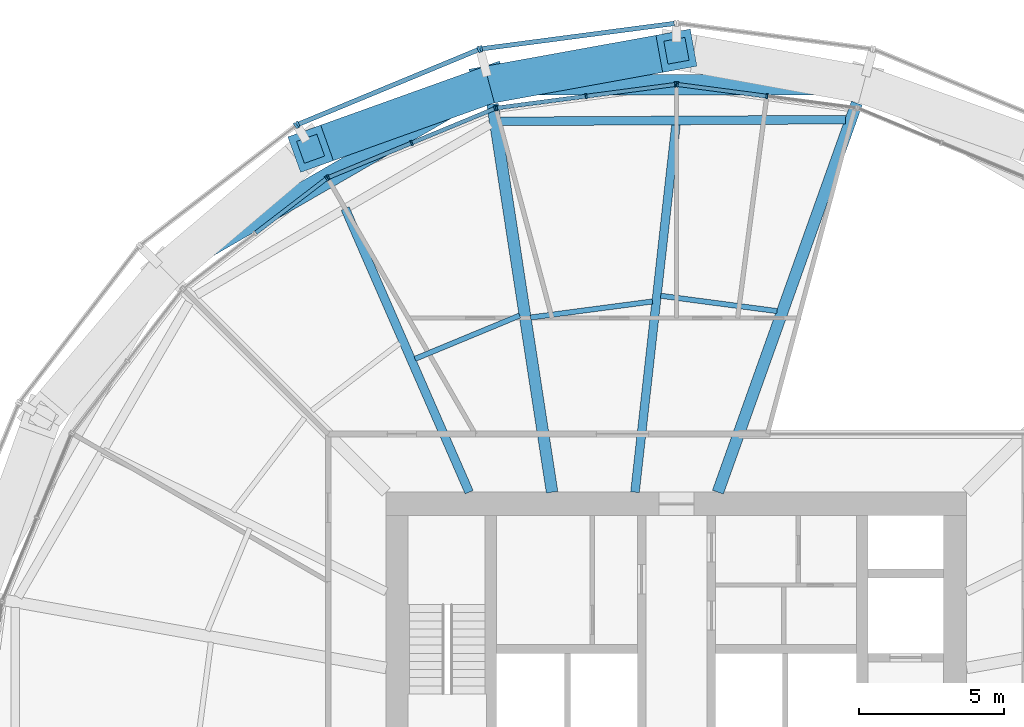
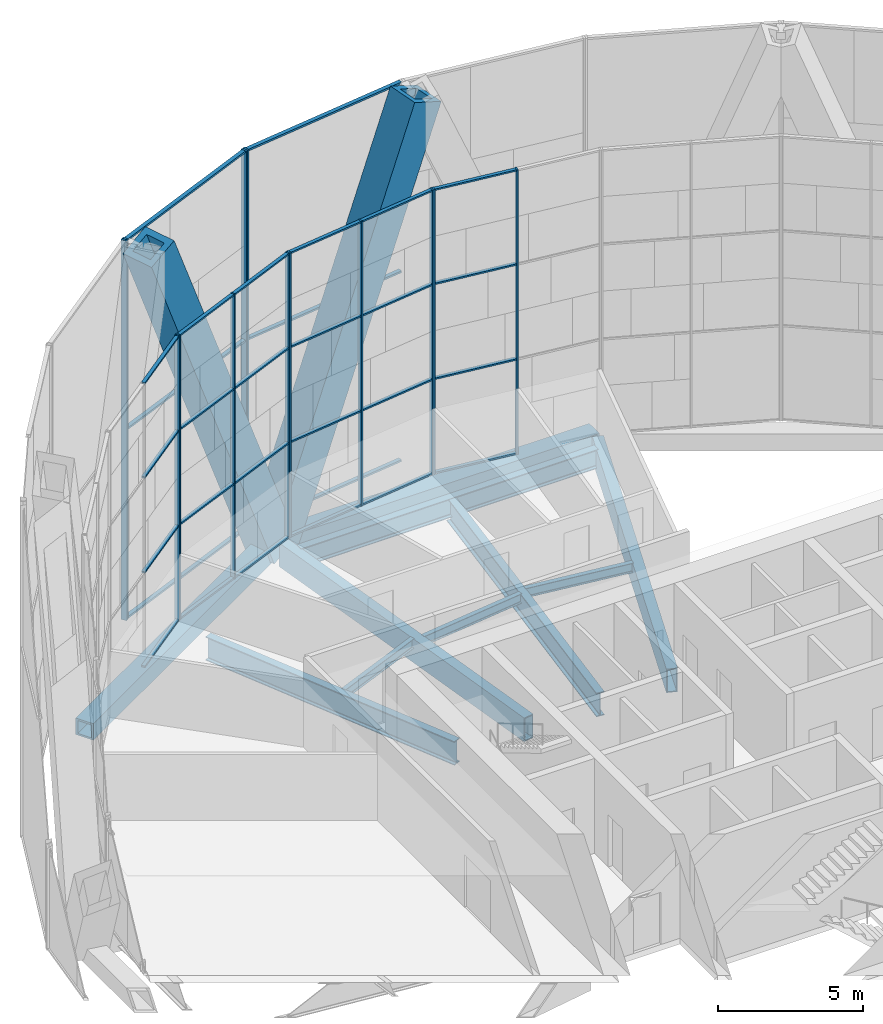
# One storey, part 8 of 26: 45 members, 10 beams, 7 elements without a shape of their own.
"""IFC4 building model written with IfcOpenShell, lengths in metres."""

from ifc_helpers import new_model, si_unit, direction, frame, origin, origin_2d, place, context, subcontext, project, spatial, rectangle, hollow_rectangle, i_section, extrude, material, material_profile, profile_set, type_object, element, aggregate, save


model = new_model("IFC4")

# Units and contexts
model_context = context("Model", 3, precision=1e-05, world=origin(), true_north=direction((0.0, 1.0)))
body_context = subcontext(model_context, "Body", "Model", "MODEL_VIEW")
ifc_project = project(units=[si_unit("LENGTHUNIT", "METRE"), si_unit("AREAUNIT", "SQUARE_METRE"), si_unit("VOLUMEUNIT", "CUBIC_METRE"), si_unit("PLANEANGLEUNIT", "RADIAN"), si_unit("MASSUNIT", "GRAM", prefix="KILO")], contexts=[model_context])

# Site, building, storey
site_placement = place(None, origin())
site = spatial("IfcSite", under=ifc_project, at=site_placement, CompositionType="ELEMENT")
building_placement = place(site_placement, origin())
building = spatial("IfcBuilding", under=site, at=building_placement, Name="Golbaran Civic Tower", CompositionType="ELEMENT")
storey_placement = place(building_placement, frame((0.0, 0.0, 69.0)))
storey = spatial("IfcBuildingStorey", under=building, at=storey_placement, Name="L16", CompositionType="ELEMENT", Elevation=69.0)

# Members
ifc_material_1 = material(Name="Steel S355", Category="steel")
ifc_material_profile_1 = material_profile(ifc_material_1, hollow_rectangle(XDim=1.300048828125, YDim=1.300048828125, WallThickness=0.25, at=origin_2d()), Name="BOX 1300x1300x250")
ifc_profile_set_1 = profile_set([ifc_material_profile_1], Name="Steel S355")
member_type_1 = type_object("IfcMemberType", Name="DIAGRID DIAGONAL BOX 1300x1300x250", PredefinedType="BRACE", material=ifc_profile_set_1)
for number, where, z_axis, x_axis, name in (
    (1, (-6.4423828125, 24.04296875, -0.7099609375), (-0.356500071861, -0.127819765109, 0.925510565262), (0.337503066276, -0.941324428799, 0.0), "Diagonal D03-03R L16-L20"),
    (2, (-6.4423828125, 24.04296875, -0.7099609375), (0.372654606272, 0.067560240882, 0.925507513895), (-0.178386648531, 0.983960468528, 0.0), "Diagonal D03-03L L16-L20"),
):
    element("IfcMember", number, at=place(storey_placement, frame(where, z_axis=z_axis, x_axis=x_axis)), inside=storey, type_object=member_type_1, Name=name, PredefinedType="BRACE", context=body_context, shape_type="SweptSolid", body=[
        extrude(hollow_rectangle(XDim=1.300048828125, YDim=1.300048828125, WallThickness=0.25, at=origin_2d()), origin(), (0.0, 0.0, 1.0), 17.287841796875),
    ])

# Beams
ifc_material_profile_2 = material_profile(ifc_material_1, hollow_rectangle(XDim=0.699951171875, YDim=0.699951171875, WallThickness=0.080078125, at=origin_2d()), Name="BOX 700x700x80")
ifc_profile_set_2 = profile_set([ifc_material_profile_2], Name="Steel S355")
beam_type_1 = type_object("IfcBeamType", Name="DIAGRID RING TIE BOX 700x700x80", PredefinedType="BEAM", material=ifc_profile_set_2)
beam_1_placement = place(storey_placement, frame((6.4423828125, 24.04296875, -0.7099609375), z_axis=(-1.0, 0.0, 0.0), x_axis=(0.0, -1.0, 0.0)))
element("IfcBeam", 3, at=beam_1_placement, inside=storey, type_object=beam_type_1, Name="Ring tie 75.00 L16", PredefinedType="BEAM", context=body_context, shape_type="SweptSolid", body=[
    extrude(hollow_rectangle(XDim=0.699951171875, YDim=0.699951171875, WallThickness=0.080078125, at=origin_2d()), origin(), (0.0, 0.0, 1.0), 12.884765625),
])
beam_2_placement = place(storey_placement, frame((-6.4423828125, 24.04296875, -0.7099609375), z_axis=(-0.866018976832, -0.500011131643, 0.0), x_axis=(0.500011131643, -0.866018976832, 0.0)))
element("IfcBeam", 4, at=beam_2_placement, inside=storey, type_object=beam_type_1, Name="Ring tie 105.00 L16", PredefinedType="BEAM", context=body_context, shape_type="SweptSolid", body=[
    extrude(hollow_rectangle(XDim=0.699951171875, YDim=0.699951171875, WallThickness=0.080078125, at=origin_2d()), origin(), (0.0, 0.0, 1.0), 12.884521484375),
])
ifc_material_profile_3 = material_profile(ifc_material_1, i_section(OverallWidth=0.300048828125, OverallDepth=0.800048828125, WebThickness=0.017578125, FlangeThickness=0.032958984375, FilletRadius=0.030029296875, at=origin_2d()), Name="HEB 800")
ifc_profile_set_3 = profile_set([ifc_material_profile_3], Name="Steel S355")
beam_type_2 = type_object("IfcBeamType", Name="EDGE BEAM HEB 800", PredefinedType="BEAM", material=ifc_profile_set_3)
beam_3_placement = place(storey_placement, frame((5.821044921875, 22.838134765625, -0.60009765625), z_axis=(-0.999986711838, -0.005155205896, 0.0), x_axis=(0.005155205896, -0.999986711838, 0.0)))
element("IfcBeam", 5, at=beam_3_placement, inside=storey, type_object=beam_type_2, Name="Edge beam 75.00 L16", PredefinedType="BEAM", context=body_context, shape_type="SweptSolid", body=[
    extrude(i_section(OverallWidth=0.300048828125, OverallDepth=0.800048828125, WebThickness=0.017578125, FlangeThickness=0.032958984375, FilletRadius=0.030029296875, at=origin_2d()), origin(), (0.0, 0.0, 1.0), 11.886962890625),
])
ifc_material_profile_4 = material_profile(ifc_material_1, i_section(OverallWidth=0.179931640625, OverallDepth=0.39990234375, WebThickness=0.008544921875, FlangeThickness=0.013427734375, FilletRadius=0.02099609375, at=origin_2d()), Name="IPE 400")
ifc_profile_set_4 = profile_set([ifc_material_profile_4], Name="Steel S355")
beam_type_3 = type_object("IfcBeamType", Name="FLOOR INFILL BEAM IPE 400", PredefinedType="BEAM", material=ifc_profile_set_4)
beam_4_placement = place(storey_placement, frame((3.46533203125, 16.239990234375, -0.39990234375), z_axis=(-0.991440724593, 0.130557610341, 0.0), x_axis=(-0.130557610341, -0.991440724593, 0.0)))
element("IfcBeam", 6, at=beam_4_placement, inside=storey, type_object=beam_type_3, Name="Infill beam 82.50 L16", PredefinedType="BEAM", context=body_context, shape_type="SweptSolid", body=[
    extrude(i_section(OverallWidth=0.179931640625, OverallDepth=0.39990234375, WebThickness=0.008544921875, FlangeThickness=0.013427734375, FilletRadius=0.02099609375, at=origin_2d()), origin(), (0.0, 0.0, 1.0), 4.04296875),
])
beam_5_placement = place(storey_placement, frame((-0.826416015625, 16.57177734375, -0.39990234375), z_axis=(-0.991441937301, -0.130548400832, 0.0), x_axis=(0.130548400832, -0.991441937301, 0.0)))
element("IfcBeam", 7, at=beam_5_placement, inside=storey, type_object=beam_type_3, Name="Infill beam 97.50 L16", PredefinedType="BEAM", context=body_context, shape_type="SweptSolid", body=[
    extrude(i_section(OverallWidth=0.179931640625, OverallDepth=0.39990234375, WebThickness=0.008544921875, FlangeThickness=0.013427734375, FilletRadius=0.02099609375, at=origin_2d()), origin(), (0.0, 0.0, 1.0), 4.23779296875),
])
beam_6_placement = place(storey_placement, frame((-5.402587890625, 16.08740234375, -0.39990234375), z_axis=(-0.923883445114, -0.38267398637, 0.0), x_axis=(0.38267398637, -0.923883445114, 0.0)))
element("IfcBeam", 8, at=beam_6_placement, inside=storey, type_object=beam_type_3, Name="Infill beam 112.50 L16", PredefinedType="BEAM", context=body_context, shape_type="SweptSolid", body=[
    extrude(i_section(OverallWidth=0.179931640625, OverallDepth=0.39990234375, WebThickness=0.008544921875, FlangeThickness=0.013427734375, FilletRadius=0.02099609375, at=origin_2d()), origin(), (0.0, 0.0, 1.0), 3.90380859375),
])

# Curtain wall, members
ifc_material_2 = material(Name="Aluminium and glass", Category="aluminium")
curtain_wall_type_1 = type_object("IfcCurtainWallType", Name="INNER SKIN CURTAIN WALL", PredefinedType="NOTDEFINED", material=ifc_material_2)
curtain_wall_1_placement = place(storey_placement, origin())
curtain_wall_1 = element("IfcCurtainWall", 9, at=curtain_wall_1_placement, inside=storey, type_object=curtain_wall_type_1, Name="Inner skin L16 facet 6 CW1", ObjectType="INNER SKIN", PredefinedType="USERDEFINED")
ifc_material_3 = material(Name="Aluminium", Category="aluminium")
ifc_material_profile_5 = material_profile(ifc_material_3, rectangle(XDim=0.179931640625, YDim=0.06494140625, at=origin_2d()), Name="INNER SKIN CURTAIN WALL MULLION")
ifc_profile_set_5 = profile_set([ifc_material_profile_5], Name="Aluminium")
member_type_2 = type_object("IfcMemberType", Name="INNER SKIN CURTAIN WALL MULLION", PredefinedType="MULLION", material=ifc_profile_set_5)
member_1_placement = place(storey_placement, frame((3.11279296875, 23.643310546875, 0.0), z_axis=(0.0, 0.0, 1.0), x_axis=(-0.130526192168, -0.991444861381, 0.0)))
member_1 = element("IfcMember", 10, at=member_1_placement, type_object=member_type_2, Name="CW1 mullion 2", PredefinedType="MULLION", context=body_context, shape_type="SweptSolid", body=[
    extrude(rectangle(XDim=0.179931640625, YDim=0.06494140625, at=origin_2d()), origin(), (0.0, 0.0, 1.0), 12.0),
])
member_2_placement = place(storey_placement, frame((0.0322265625, 24.048828125, 0.0), z_axis=(0.0, 0.0, 1.0), x_axis=(-0.130526192168, -0.991444861381, 0.0)))
member_2 = element("IfcMember", 11, at=member_2_placement, type_object=member_type_2, Name="CW1 mullion 3", PredefinedType="MULLION", context=body_context, shape_type="SweptSolid", body=[
    extrude(rectangle(XDim=0.179931640625, YDim=0.06494140625, at=origin_2d()), origin(), (0.0, 0.0, 1.0), 12.0),
])

curtain_wall_2_placement = place(storey_placement, origin())
curtain_wall_2 = element("IfcCurtainWall", 12, at=curtain_wall_2_placement, inside=storey, type_object=curtain_wall_type_1, Name="Inner skin L16 facet 7 CW1", ObjectType="INNER SKIN", PredefinedType="USERDEFINED")
member_3_placement = place(storey_placement, frame((-0.0322265625, 24.048828125, 0.0), z_axis=(0.0, 0.0, 1.0), x_axis=(0.130526192168, -0.991444861381, 0.0)))
member_3 = element("IfcMember", 13, at=member_3_placement, type_object=member_type_2, Name="CW1 mullion 1", PredefinedType="MULLION", context=body_context, shape_type="SweptSolid", body=[
    extrude(rectangle(XDim=0.179931640625, YDim=0.06494140625, at=origin_2d()), origin(), (0.0, 0.0, 1.0), 12.0),
])
member_4_placement = place(storey_placement, frame((-3.11279296875, 23.643310546875, 0.0), z_axis=(0.0, 0.0, 1.0), x_axis=(0.130526192168, -0.991444861381, 0.0)))
member_4 = element("IfcMember", 14, at=member_4_placement, type_object=member_type_2, Name="CW1 mullion 2", PredefinedType="MULLION", context=body_context, shape_type="SweptSolid", body=[
    extrude(rectangle(XDim=0.179931640625, YDim=0.06494140625, at=origin_2d()), origin(), (0.0, 0.0, 1.0), 12.0),
])
member_5_placement = place(storey_placement, frame((-6.193115234375, 23.237548828125, 0.0), z_axis=(0.0, 0.0, 1.0), x_axis=(0.130526192168, -0.991444861381, 0.0)))
member_5 = element("IfcMember", 15, at=member_5_placement, type_object=member_type_2, Name="CW1 mullion 3", PredefinedType="MULLION", context=body_context, shape_type="SweptSolid", body=[
    extrude(rectangle(XDim=0.179931640625, YDim=0.06494140625, at=origin_2d()), origin(), (0.0, 0.0, 1.0), 12.0),
])

curtain_wall_3_placement = place(storey_placement, origin())
curtain_wall_3 = element("IfcCurtainWall", 16, at=curtain_wall_3_placement, inside=storey, type_object=curtain_wall_type_1, Name="Inner skin L16 facet 8 CW1", ObjectType="INNER SKIN", PredefinedType="USERDEFINED")
member_6_placement = place(storey_placement, frame((-6.25537109375, 23.220947265625, 0.0), z_axis=(0.0, 0.0, 1.0), x_axis=(0.382683432446, -0.923879532478, 0.0)))
member_6 = element("IfcMember", 17, at=member_6_placement, type_object=member_type_2, Name="CW1 mullion 1", PredefinedType="MULLION", context=body_context, shape_type="SweptSolid", body=[
    extrude(rectangle(XDim=0.179931640625, YDim=0.06494140625, at=origin_2d()), origin(), (0.0, 0.0, 1.0), 12.0),
])
member_7_placement = place(storey_placement, frame((-9.1259765625, 22.031982421875, 0.0), z_axis=(0.0, 0.0, 1.0), x_axis=(0.382683432446, -0.923879532478, 0.0)))
member_7 = element("IfcMember", 18, at=member_7_placement, type_object=member_type_2, Name="CW1 mullion 2", PredefinedType="MULLION", context=body_context, shape_type="SweptSolid", body=[
    extrude(rectangle(XDim=0.179931640625, YDim=0.06494140625, at=origin_2d()), origin(), (0.0, 0.0, 1.0), 12.0),
])
member_8_placement = place(storey_placement, frame((-11.99658203125, 20.843017578125, 0.0), z_axis=(0.0, 0.0, 1.0), x_axis=(0.382683432446, -0.923879532478, 0.0)))
member_8 = element("IfcMember", 19, at=member_8_placement, type_object=member_type_2, Name="CW1 mullion 3", PredefinedType="MULLION", context=body_context, shape_type="SweptSolid", body=[
    extrude(rectangle(XDim=0.179931640625, YDim=0.06494140625, at=origin_2d()), origin(), (0.0, 0.0, 1.0), 12.0),
])

# Curtain wall, member
curtain_wall_4_placement = place(storey_placement, origin())
curtain_wall_4 = element("IfcCurtainWall", 20, at=curtain_wall_4_placement, inside=storey, type_object=curtain_wall_type_1, Name="Inner skin L16 facet 9 CW1", ObjectType="INNER SKIN", PredefinedType="USERDEFINED")
member_9_placement = place(storey_placement, frame((-12.05224609375, 20.810791015625, 0.0), z_axis=(0.0, 0.0, 1.0), x_axis=(0.608761428967, -0.793353340323, 0.0)))
member_9 = element("IfcMember", 21, at=member_9_placement, type_object=member_type_2, Name="CW1 mullion 1", PredefinedType="MULLION", context=body_context, shape_type="SweptSolid", body=[
    extrude(rectangle(XDim=0.179931640625, YDim=0.06494140625, at=origin_2d()), origin(), (0.0, 0.0, 1.0), 12.0),
])

# Member
ifc_material_profile_6 = material_profile(ifc_material_3, rectangle(XDim=0.139892578125, YDim=0.06494140625, at=origin_2d()), Name="INNER SKIN CURTAIN WALL TRANSOM")
ifc_profile_set_6 = profile_set([ifc_material_profile_6], Name="Aluminium")
member_type_3 = type_object("IfcMemberType", Name="INNER SKIN CURTAIN WALL TRANSOM", PredefinedType="USERDEFINED", material=ifc_profile_set_6)
member_10_placement = place(storey_placement, frame((3.08056640625, 23.6474609375, 0.032470703125), z_axis=(-0.991449378026, 0.130491880255, 0.0), x_axis=(-0.130491880255, -0.991449378026, 0.0)))
member_10 = element("IfcMember", 22, at=member_10_placement, type_object=member_type_3, Name="CW1 transom 2.1", ObjectType="TRANSOM", PredefinedType="USERDEFINED", context=body_context, shape_type="SweptSolid", body=[
    extrude(rectangle(XDim=0.139892578125, YDim=0.06494140625, at=origin_2d()), origin(), (0.0, 0.0, 1.0), 3.042236328125),
])

member_11_placement = place(storey_placement, frame((3.08056640625, 23.6474609375, 4.0), z_axis=(-0.991449378026, 0.130491880255, 0.0), x_axis=(-0.130491880255, -0.991449378026, 0.0)))
member_11 = element("IfcMember", 23, at=member_11_placement, type_object=member_type_3, Name="CW1 transom 2.2", ObjectType="TRANSOM", PredefinedType="USERDEFINED", context=body_context, shape_type="SweptSolid", body=[
    extrude(rectangle(XDim=0.139892578125, YDim=0.06494140625, at=origin_2d()), origin(), (0.0, 0.0, 1.0), 3.042236328125),
])

member_12_placement = place(storey_placement, frame((3.08056640625, 23.6474609375, 8.0), z_axis=(-0.991449378026, 0.130491880255, 0.0), x_axis=(-0.130491880255, -0.991449378026, 0.0)))
member_12 = element("IfcMember", 24, at=member_12_placement, type_object=member_type_3, Name="CW1 transom 2.3", ObjectType="TRANSOM", PredefinedType="USERDEFINED", context=body_context, shape_type="SweptSolid", body=[
    extrude(rectangle(XDim=0.139892578125, YDim=0.06494140625, at=origin_2d()), origin(), (0.0, 0.0, 1.0), 3.042236328125),
])

member_13_placement = place(storey_placement, frame((3.08056640625, 23.6474609375, 11.967529296875), z_axis=(-0.991449378026, 0.130491880255, 0.0), x_axis=(-0.130491880255, -0.991449378026, 0.0)))
member_13 = element("IfcMember", 25, at=member_13_placement, type_object=member_type_3, Name="CW1 transom 2.4", ObjectType="TRANSOM", PredefinedType="USERDEFINED", context=body_context, shape_type="SweptSolid", body=[
    extrude(rectangle(XDim=0.139892578125, YDim=0.06494140625, at=origin_2d()), origin(), (0.0, 0.0, 1.0), 3.042236328125),
])

aggregate(curtain_wall_1, [member_1, member_2, member_10, member_11, member_12, member_13])

member_14_placement = place(storey_placement, frame((-0.064453125, 24.04443359375, 0.032470703125), z_axis=(-0.991449378026, -0.130491880255, 0.0), x_axis=(0.130491880255, -0.991449378026, 0.0)))
member_14 = element("IfcMember", 26, at=member_14_placement, type_object=member_type_3, Name="CW1 transom 1.1", ObjectType="TRANSOM", PredefinedType="USERDEFINED", context=body_context, shape_type="SweptSolid", body=[
    extrude(rectangle(XDim=0.139892578125, YDim=0.06494140625, at=origin_2d()), origin(), (0.0, 0.0, 1.0), 3.042236328125),
])

member_15_placement = place(storey_placement, frame((-0.064453125, 24.04443359375, 4.0), z_axis=(-0.991449378026, -0.130491880255, 0.0), x_axis=(0.130491880255, -0.991449378026, 0.0)))
member_15 = element("IfcMember", 27, at=member_15_placement, type_object=member_type_3, Name="CW1 transom 1.2", ObjectType="TRANSOM", PredefinedType="USERDEFINED", context=body_context, shape_type="SweptSolid", body=[
    extrude(rectangle(XDim=0.139892578125, YDim=0.06494140625, at=origin_2d()), origin(), (0.0, 0.0, 1.0), 3.042236328125),
])

member_16_placement = place(storey_placement, frame((-0.064453125, 24.04443359375, 8.0), z_axis=(-0.991449378026, -0.130491880255, 0.0), x_axis=(0.130491880255, -0.991449378026, 0.0)))
member_16 = element("IfcMember", 28, at=member_16_placement, type_object=member_type_3, Name="CW1 transom 1.3", ObjectType="TRANSOM", PredefinedType="USERDEFINED", context=body_context, shape_type="SweptSolid", body=[
    extrude(rectangle(XDim=0.139892578125, YDim=0.06494140625, at=origin_2d()), origin(), (0.0, 0.0, 1.0), 3.042236328125),
])

member_17_placement = place(storey_placement, frame((-0.064453125, 24.04443359375, 11.967529296875), z_axis=(-0.991449378026, -0.130491880255, 0.0), x_axis=(0.130491880255, -0.991449378026, 0.0)))
member_17 = element("IfcMember", 29, at=member_17_placement, type_object=member_type_3, Name="CW1 transom 1.4", ObjectType="TRANSOM", PredefinedType="USERDEFINED", context=body_context, shape_type="SweptSolid", body=[
    extrude(rectangle(XDim=0.139892578125, YDim=0.06494140625, at=origin_2d()), origin(), (0.0, 0.0, 1.0), 3.042236328125),
])

member_18_placement = place(storey_placement, frame((-3.14501953125, 23.638916015625, 0.032470703125), z_axis=(-0.991448011299, -0.130502263934, 0.0), x_axis=(0.130502263934, -0.991448011299, 0.0)))
member_18 = element("IfcMember", 30, at=member_18_placement, type_object=member_type_3, Name="CW1 transom 2.1", ObjectType="TRANSOM", PredefinedType="USERDEFINED", context=body_context, shape_type="SweptSolid", body=[
    extrude(rectangle(XDim=0.139892578125, YDim=0.06494140625, at=origin_2d()), origin(), (0.0, 0.0, 1.0), 3.0419921875),
])

member_19_placement = place(storey_placement, frame((-3.14501953125, 23.638916015625, 4.0), z_axis=(-0.991448011299, -0.130502263934, 0.0), x_axis=(0.130502263934, -0.991448011299, 0.0)))
member_19 = element("IfcMember", 31, at=member_19_placement, type_object=member_type_3, Name="CW1 transom 2.2", ObjectType="TRANSOM", PredefinedType="USERDEFINED", context=body_context, shape_type="SweptSolid", body=[
    extrude(rectangle(XDim=0.139892578125, YDim=0.06494140625, at=origin_2d()), origin(), (0.0, 0.0, 1.0), 3.0419921875),
])

member_20_placement = place(storey_placement, frame((-3.14501953125, 23.638916015625, 8.0), z_axis=(-0.991448011299, -0.130502263934, 0.0), x_axis=(0.130502263934, -0.991448011299, 0.0)))
member_20 = element("IfcMember", 32, at=member_20_placement, type_object=member_type_3, Name="CW1 transom 2.3", ObjectType="TRANSOM", PredefinedType="USERDEFINED", context=body_context, shape_type="SweptSolid", body=[
    extrude(rectangle(XDim=0.139892578125, YDim=0.06494140625, at=origin_2d()), origin(), (0.0, 0.0, 1.0), 3.0419921875),
])

member_21_placement = place(storey_placement, frame((-3.14501953125, 23.638916015625, 11.967529296875), z_axis=(-0.991448011299, -0.130502263934, 0.0), x_axis=(0.130502263934, -0.991448011299, 0.0)))
member_21 = element("IfcMember", 33, at=member_21_placement, type_object=member_type_3, Name="CW1 transom 2.4", ObjectType="TRANSOM", PredefinedType="USERDEFINED", context=body_context, shape_type="SweptSolid", body=[
    extrude(rectangle(XDim=0.139892578125, YDim=0.06494140625, at=origin_2d()), origin(), (0.0, 0.0, 1.0), 3.0419921875),
])

aggregate(curtain_wall_2, [member_3, member_4, member_5, member_14, member_15, member_16, member_17, member_18, member_19, member_20, member_21])

member_22_placement = place(storey_placement, frame((-6.285400390625, 23.20849609375, 0.032470703125), z_axis=(-0.923891634543, -0.382654214168, 0.0), x_axis=(0.382654214168, -0.923891634543, 0.0)))
member_22 = element("IfcMember", 34, at=member_22_placement, type_object=member_type_3, Name="CW1 transom 1.1", ObjectType="TRANSOM", PredefinedType="USERDEFINED", context=body_context, shape_type="SweptSolid", body=[
    extrude(rectangle(XDim=0.139892578125, YDim=0.06494140625, at=origin_2d()), origin(), (0.0, 0.0, 1.0), 3.0419921875),
])

member_23_placement = place(storey_placement, frame((-6.285400390625, 23.20849609375, 4.0), z_axis=(-0.923891634543, -0.382654214168, 0.0), x_axis=(0.382654214168, -0.923891634543, 0.0)))
member_23 = element("IfcMember", 35, at=member_23_placement, type_object=member_type_3, Name="CW1 transom 1.2", ObjectType="TRANSOM", PredefinedType="USERDEFINED", context=body_context, shape_type="SweptSolid", body=[
    extrude(rectangle(XDim=0.139892578125, YDim=0.06494140625, at=origin_2d()), origin(), (0.0, 0.0, 1.0), 3.0419921875),
])

member_24_placement = place(storey_placement, frame((-6.285400390625, 23.20849609375, 8.0), z_axis=(-0.923891634543, -0.382654214168, 0.0), x_axis=(0.382654214168, -0.923891634543, 0.0)))
member_24 = element("IfcMember", 36, at=member_24_placement, type_object=member_type_3, Name="CW1 transom 1.3", ObjectType="TRANSOM", PredefinedType="USERDEFINED", context=body_context, shape_type="SweptSolid", body=[
    extrude(rectangle(XDim=0.139892578125, YDim=0.06494140625, at=origin_2d()), origin(), (0.0, 0.0, 1.0), 3.0419921875),
])

member_25_placement = place(storey_placement, frame((-6.285400390625, 23.20849609375, 11.967529296875), z_axis=(-0.923891634543, -0.382654214168, 0.0), x_axis=(0.382654214168, -0.923891634543, 0.0)))
member_25 = element("IfcMember", 37, at=member_25_placement, type_object=member_type_3, Name="CW1 transom 1.4", ObjectType="TRANSOM", PredefinedType="USERDEFINED", context=body_context, shape_type="SweptSolid", body=[
    extrude(rectangle(XDim=0.139892578125, YDim=0.06494140625, at=origin_2d()), origin(), (0.0, 0.0, 1.0), 3.0419921875),
])

member_26_placement = place(storey_placement, frame((-9.156005859375, 22.01953125, 0.032470703125), z_axis=(-0.923891634543, -0.382654214168, 0.0), x_axis=(0.382654214168, -0.923891634543, 0.0)))
member_26 = element("IfcMember", 38, at=member_26_placement, type_object=member_type_3, Name="CW1 transom 2.1", ObjectType="TRANSOM", PredefinedType="USERDEFINED", context=body_context, shape_type="SweptSolid", body=[
    extrude(rectangle(XDim=0.139892578125, YDim=0.06494140625, at=origin_2d()), origin(), (0.0, 0.0, 1.0), 3.0419921875),
])

member_27_placement = place(storey_placement, frame((-9.156005859375, 22.01953125, 4.0), z_axis=(-0.923891634543, -0.382654214168, 0.0), x_axis=(0.382654214168, -0.923891634543, 0.0)))
member_27 = element("IfcMember", 39, at=member_27_placement, type_object=member_type_3, Name="CW1 transom 2.2", ObjectType="TRANSOM", PredefinedType="USERDEFINED", context=body_context, shape_type="SweptSolid", body=[
    extrude(rectangle(XDim=0.139892578125, YDim=0.06494140625, at=origin_2d()), origin(), (0.0, 0.0, 1.0), 3.0419921875),
])

member_28_placement = place(storey_placement, frame((-9.156005859375, 22.01953125, 8.0), z_axis=(-0.923891634543, -0.382654214168, 0.0), x_axis=(0.382654214168, -0.923891634543, 0.0)))
member_28 = element("IfcMember", 40, at=member_28_placement, type_object=member_type_3, Name="CW1 transom 2.3", ObjectType="TRANSOM", PredefinedType="USERDEFINED", context=body_context, shape_type="SweptSolid", body=[
    extrude(rectangle(XDim=0.139892578125, YDim=0.06494140625, at=origin_2d()), origin(), (0.0, 0.0, 1.0), 3.0419921875),
])

member_29_placement = place(storey_placement, frame((-9.156005859375, 22.01953125, 11.967529296875), z_axis=(-0.923891634543, -0.382654214168, 0.0), x_axis=(0.382654214168, -0.923891634543, 0.0)))
member_29 = element("IfcMember", 41, at=member_29_placement, type_object=member_type_3, Name="CW1 transom 2.4", ObjectType="TRANSOM", PredefinedType="USERDEFINED", context=body_context, shape_type="SweptSolid", body=[
    extrude(rectangle(XDim=0.139892578125, YDim=0.06494140625, at=origin_2d()), origin(), (0.0, 0.0, 1.0), 3.0419921875),
])

aggregate(curtain_wall_3, [member_6, member_7, member_8, member_22, member_23, member_24, member_25, member_26, member_27, member_28, member_29])

member_30_placement = place(storey_placement, frame((-12.078125, 20.791015625, 0.032470703125), z_axis=(-0.79331563605, -0.608810562982, 0.0), x_axis=(0.608810562982, -0.79331563605, 0.0)))
member_30 = element("IfcMember", 42, at=member_30_placement, type_object=member_type_3, Name="CW1 transom 1.1", ObjectType="TRANSOM", PredefinedType="USERDEFINED", context=body_context, shape_type="SweptSolid", body=[
    extrude(rectangle(XDim=0.139892578125, YDim=0.06494140625, at=origin_2d()), origin(), (0.0, 0.0, 1.0), 3.0419921875),
])

member_31_placement = place(storey_placement, frame((-12.078125, 20.791015625, 4.0), z_axis=(-0.79331563605, -0.608810562982, 0.0), x_axis=(0.608810562982, -0.79331563605, 0.0)))
member_31 = element("IfcMember", 43, at=member_31_placement, type_object=member_type_3, Name="CW1 transom 1.2", ObjectType="TRANSOM", PredefinedType="USERDEFINED", context=body_context, shape_type="SweptSolid", body=[
    extrude(rectangle(XDim=0.139892578125, YDim=0.06494140625, at=origin_2d()), origin(), (0.0, 0.0, 1.0), 3.0419921875),
])

member_32_placement = place(storey_placement, frame((-12.078125, 20.791015625, 8.0), z_axis=(-0.79331563605, -0.608810562982, 0.0), x_axis=(0.608810562982, -0.79331563605, 0.0)))
member_32 = element("IfcMember", 44, at=member_32_placement, type_object=member_type_3, Name="CW1 transom 1.3", ObjectType="TRANSOM", PredefinedType="USERDEFINED", context=body_context, shape_type="SweptSolid", body=[
    extrude(rectangle(XDim=0.139892578125, YDim=0.06494140625, at=origin_2d()), origin(), (0.0, 0.0, 1.0), 3.0419921875),
])

member_33_placement = place(storey_placement, frame((-12.078125, 20.791015625, 11.967529296875), z_axis=(-0.79331563605, -0.608810562982, 0.0), x_axis=(0.608810562982, -0.79331563605, 0.0)))
member_33 = element("IfcMember", 45, at=member_33_placement, type_object=member_type_3, Name="CW1 transom 1.4", ObjectType="TRANSOM", PredefinedType="USERDEFINED", context=body_context, shape_type="SweptSolid", body=[
    extrude(rectangle(XDim=0.139892578125, YDim=0.06494140625, at=origin_2d()), origin(), (0.0, 0.0, 1.0), 3.0419921875),
])

aggregate(curtain_wall_4, [member_9, member_30, member_31, member_32, member_33])

# Curtain wall, member
curtain_wall_type_2 = type_object("IfcCurtainWallType", Name="OUTER SKIN TERRACOTTA SCREEN", PredefinedType="NOTDEFINED", material=ifc_material_2)
curtain_wall_5_placement = place(storey_placement, origin())
curtain_wall_5 = element("IfcCurtainWall", 46, at=curtain_wall_5_placement, inside=storey, type_object=curtain_wall_type_2, Name="Outer skin L16 facet 7 CW3", ObjectType="OUTER SKIN", PredefinedType="USERDEFINED")
ifc_material_profile_7 = material_profile(ifc_material_3, rectangle(XDim=0.219970703125, YDim=0.080078125, at=origin_2d()), Name="OUTER SKIN TERRACOTTA SCREEN MULLION")
ifc_profile_set_7 = profile_set([ifc_material_profile_7], Name="Aluminium")
member_type_4 = type_object("IfcMemberType", Name="OUTER SKIN TERRACOTTA SCREEN MULLION", PredefinedType="MULLION", material=ifc_profile_set_7)
member_34_placement = place(storey_placement, frame((-6.731201171875, 25.27490234375, -0.7099609375), z_axis=(0.0, 0.0, 1.0), x_axis=(0.130526192151, -0.991444861383, 0.0)))
member_34 = element("IfcMember", 47, at=member_34_placement, type_object=member_type_4, Name="CW3 mullion 2", PredefinedType="MULLION", context=body_context, shape_type="SweptSolid", body=[
    extrude(rectangle(XDim=0.219970703125, YDim=0.080078125, at=origin_2d()), origin(), (0.0, 0.0, 1.0), 16.0),
])

# Curtain wall, members
curtain_wall_6_placement = place(storey_placement, origin())
curtain_wall_6 = element("IfcCurtainWall", 48, at=curtain_wall_6_placement, inside=storey, type_object=curtain_wall_type_2, Name="Outer skin L16 facet 8 CW3", ObjectType="OUTER SKIN", PredefinedType="USERDEFINED")
member_35_placement = place(storey_placement, frame((-6.807861328125, 25.25439453125, -0.7099609375), z_axis=(0.0, 0.0, 1.0), x_axis=(0.382683432478, -0.923879532465, 0.0)))
member_35 = element("IfcMember", 49, at=member_35_placement, type_object=member_type_4, Name="CW3 mullion 1", PredefinedType="MULLION", context=body_context, shape_type="SweptSolid", body=[
    extrude(rectangle(XDim=0.219970703125, YDim=0.080078125, at=origin_2d()), origin(), (0.0, 0.0, 1.0), 16.0),
])
member_36_placement = place(storey_placement, frame((-13.04345703125, 22.67138671875, -0.7099609375), z_axis=(0.0, 0.0, 1.0), x_axis=(0.382683432478, -0.923879532465, 0.0)))
member_36 = element("IfcMember", 50, at=member_36_placement, type_object=member_type_4, Name="CW3 mullion 2", PredefinedType="MULLION", context=body_context, shape_type="SweptSolid", body=[
    extrude(rectangle(XDim=0.219970703125, YDim=0.080078125, at=origin_2d()), origin(), (0.0, 0.0, 1.0), 16.0),
])

# Curtain wall, member
curtain_wall_7_placement = place(storey_placement, origin())
curtain_wall_7 = element("IfcCurtainWall", 51, at=curtain_wall_7_placement, inside=storey, type_object=curtain_wall_type_2, Name="Outer skin L16 facet 9 CW3", ObjectType="OUTER SKIN", PredefinedType="USERDEFINED")
member_37_placement = place(storey_placement, frame((-13.1123046875, 22.6318359375, -0.7099609375), z_axis=(0.0, 0.0, 1.0), x_axis=(0.608761428912, -0.793353340366, 0.0)))
member_37 = element("IfcMember", 52, at=member_37_placement, type_object=member_type_4, Name="CW3 mullion 1", PredefinedType="MULLION", context=body_context, shape_type="SweptSolid", body=[
    extrude(rectangle(XDim=0.219970703125, YDim=0.080078125, at=origin_2d()), origin(), (0.0, 0.0, 1.0), 16.0),
])
aggregate(curtain_wall_7, [member_37])

# Member
ifc_material_profile_8 = material_profile(ifc_material_3, rectangle(XDim=0.159912109375, YDim=0.080078125, at=origin_2d()), Name="OUTER SKIN TERRACOTTA SCREEN TRANSOM")
ifc_profile_set_8 = profile_set([ifc_material_profile_8], Name="Aluminium")
member_type_5 = type_object("IfcMemberType", Name="OUTER SKIN TERRACOTTA SCREEN TRANSOM", PredefinedType="USERDEFINED", material=ifc_profile_set_8)
member_38_placement = place(storey_placement, frame((-0.079345703125, 26.150634765625, -0.669921875), z_axis=(-0.991443327613, -0.130537841761, 0.0), x_axis=(0.130537841761, -0.991443327613, 0.0)))
member_38 = element("IfcMember", 53, at=member_38_placement, type_object=member_type_5, Name="CW3 transom 1.1", ObjectType="TRANSOM", PredefinedType="USERDEFINED", context=body_context, shape_type="SweptSolid", body=[
    extrude(rectangle(XDim=0.159912109375, YDim=0.080078125, at=origin_2d()), origin(), (0.0, 0.0, 1.0), 6.66943359375),
])

member_39_placement = place(storey_placement, frame((-0.079345703125, 26.150634765625, 7.2900390625), z_axis=(-0.991443327613, -0.130537841761, 0.0), x_axis=(0.130537841761, -0.991443327613, 0.0)))
member_39 = element("IfcMember", 54, at=member_39_placement, type_object=member_type_5, Name="CW3 transom 1.2", ObjectType="TRANSOM", PredefinedType="USERDEFINED", context=body_context, shape_type="SweptSolid", body=[
    extrude(rectangle(XDim=0.159912109375, YDim=0.080078125, at=origin_2d()), origin(), (0.0, 0.0, 1.0), 6.66943359375),
])

member_40_placement = place(storey_placement, frame((-0.079345703125, 26.150634765625, 15.25), z_axis=(-0.991443327613, -0.130537841761, 0.0), x_axis=(0.130537841761, -0.991443327613, 0.0)))
member_40 = element("IfcMember", 55, at=member_40_placement, type_object=member_type_5, Name="CW3 transom 1.3", ObjectType="TRANSOM", PredefinedType="USERDEFINED", context=body_context, shape_type="SweptSolid", body=[
    extrude(rectangle(XDim=0.159912109375, YDim=0.080078125, at=origin_2d()), origin(), (0.0, 0.0, 1.0), 6.66943359375),
])

aggregate(curtain_wall_5, [member_34, member_38, member_39, member_40])

member_41_placement = place(storey_placement, frame((-6.844970703125, 25.239013671875, -0.669921875), z_axis=(-0.92387852154, -0.382685873056, 0.0), x_axis=(0.382685873056, -0.92387852154, 0.0)))
member_41 = element("IfcMember", 56, at=member_41_placement, type_object=member_type_5, Name="CW3 transom 1.1", ObjectType="TRANSOM", PredefinedType="USERDEFINED", context=body_context, shape_type="SweptSolid", body=[
    extrude(rectangle(XDim=0.159912109375, YDim=0.080078125, at=origin_2d()), origin(), (0.0, 0.0, 1.0), 6.669189453125),
])

member_42_placement = place(storey_placement, frame((-6.844970703125, 25.239013671875, 7.2900390625), z_axis=(-0.92387852154, -0.382685873056, 0.0), x_axis=(0.382685873056, -0.92387852154, 0.0)))
member_42 = element("IfcMember", 57, at=member_42_placement, type_object=member_type_5, Name="CW3 transom 1.2", ObjectType="TRANSOM", PredefinedType="USERDEFINED", context=body_context, shape_type="SweptSolid", body=[
    extrude(rectangle(XDim=0.159912109375, YDim=0.080078125, at=origin_2d()), origin(), (0.0, 0.0, 1.0), 6.669189453125),
])

member_43_placement = place(storey_placement, frame((-6.844970703125, 25.239013671875, 15.25), z_axis=(-0.92387852154, -0.382685873056, 0.0), x_axis=(0.382685873056, -0.92387852154, 0.0)))
member_43 = element("IfcMember", 58, at=member_43_placement, type_object=member_type_5, Name="CW3 transom 1.3", ObjectType="TRANSOM", PredefinedType="USERDEFINED", context=body_context, shape_type="SweptSolid", body=[
    extrude(rectangle(XDim=0.159912109375, YDim=0.080078125, at=origin_2d()), origin(), (0.0, 0.0, 1.0), 6.669189453125),
])

aggregate(curtain_wall_6, [member_35, member_36, member_41, member_42, member_43])

# Beams
ifc_material_profile_9 = material_profile(ifc_material_1, hollow_rectangle(XDim=0.39990234375, YDim=1.0, WallThickness=0.0400390625, at=origin_2d()), Name="BOX 1000x400x40")
ifc_profile_set_9 = profile_set([ifc_material_profile_9], Name="Steel S355")
beam_type_4 = type_object("IfcBeamType", Name="RADIAL FLOOR BEAM BOX 1000x400x40", PredefinedType="BEAM", material=ifc_profile_set_9)
beam_7_placement = place(storey_placement, frame((1.428466796875, 10.0, -0.7099609375), z_axis=(0.336250557288, 0.941772564223, 0.0), x_axis=(-0.941772564223, 0.336250557288, 0.0)))
element("IfcBeam", 59, at=beam_7_placement, inside=storey, type_object=beam_type_4, Name="Radial beam 75.00 L16", PredefinedType="BEAM", context=body_context, shape_type="SweptSolid", body=[
    extrude(hollow_rectangle(XDim=0.39990234375, YDim=1.0, WallThickness=0.0400390625, at=origin_2d()), origin(), (0.0, 0.0, 1.0), 14.23388671875),
])
beam_8_placement = place(storey_placement, frame((-4.28564453125, 10.0, -0.7099609375), z_axis=(-0.151800796418, 0.988411107893, 0.0), x_axis=(-0.988411107893, -0.151800796418, 0.0)))
element("IfcBeam", 60, at=beam_8_placement, inside=storey, type_object=beam_type_4, Name="Radial beam 105.00 L16", PredefinedType="BEAM", context=body_context, shape_type="SweptSolid", body=[
    extrude(hollow_rectangle(XDim=0.39990234375, YDim=1.0, WallThickness=0.0400390625, at=origin_2d()), origin(), (0.0, 0.0, 1.0), 13.524169921875),
])
ifc_material_profile_10 = material_profile(ifc_material_1, i_section(OverallWidth=0.300048828125, OverallDepth=1.0, WebThickness=0.01904296875, FlangeThickness=0.035888671875, FilletRadius=0.030029296875, at=origin_2d()), Name="HEB 1000")
ifc_profile_set_10 = profile_set([ifc_material_profile_10], Name="Steel S355")
beam_type_5 = type_object("IfcBeamType", Name="SECONDARY FLOOR BEAM HEB 1000", PredefinedType="BEAM", material=ifc_profile_set_10)
beam_9_placement = place(storey_placement, frame((-1.428466796875, 10.0, -0.7099609375), z_axis=(0.110841122121, 0.993838138555, 0.0), x_axis=(-0.993838138555, 0.110841122121, 0.0)))
element("IfcBeam", 61, at=beam_9_placement, inside=storey, type_object=beam_type_5, Name="Secondary beam 90.00 L16", PredefinedType="BEAM", context=body_context, shape_type="SweptSolid", body=[
    extrude(i_section(OverallWidth=0.300048828125, OverallDepth=1.0, WebThickness=0.01904296875, FlangeThickness=0.035888671875, FilletRadius=0.030029296875, at=origin_2d()), origin(), (0.0, 0.0, 1.0), 12.887451171875),
])
beam_10_placement = place(storey_placement, frame((-7.142822265625, 10.0, -0.7099609375), z_axis=(-0.400600265617, 0.916252927519, 0.0), x_axis=(-0.916252927519, -0.400600265617, 0.0)))
element("IfcBeam", 62, at=beam_10_placement, inside=storey, type_object=beam_type_5, Name="Secondary beam 120.00 L16", PredefinedType="BEAM", context=body_context, shape_type="SweptSolid", body=[
    extrude(i_section(OverallWidth=0.300048828125, OverallDepth=1.0, WebThickness=0.01904296875, FlangeThickness=0.035888671875, FilletRadius=0.030029296875, at=origin_2d()), origin(), (0.0, 0.0, 1.0), 10.6650390625),
])

save(model, "model.ifc")
